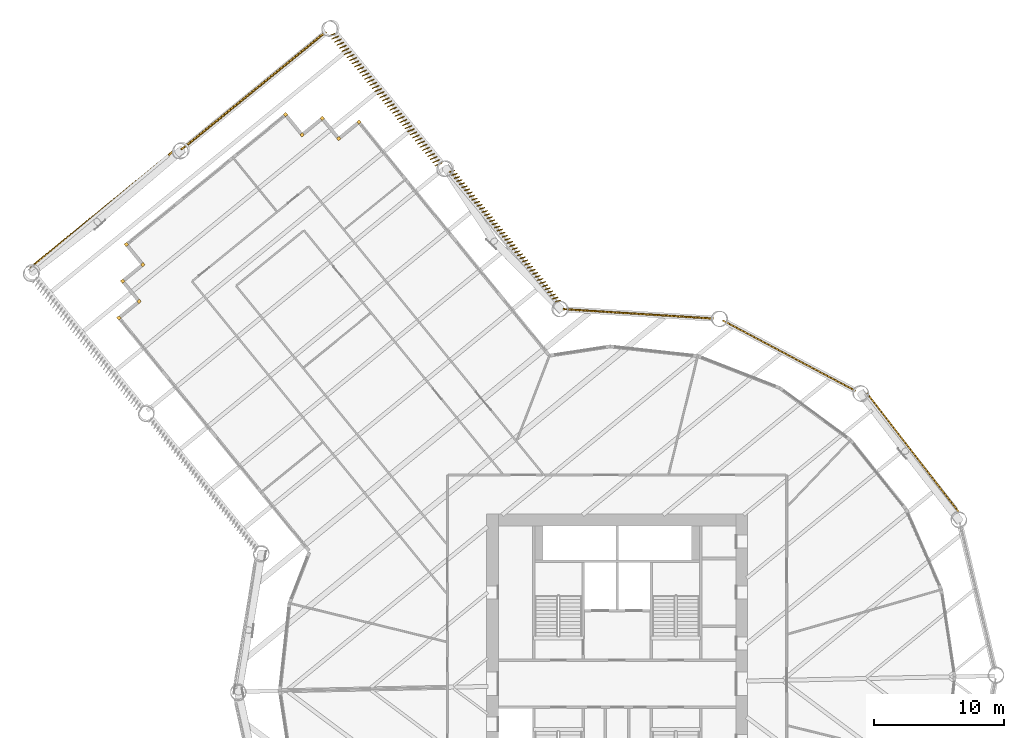
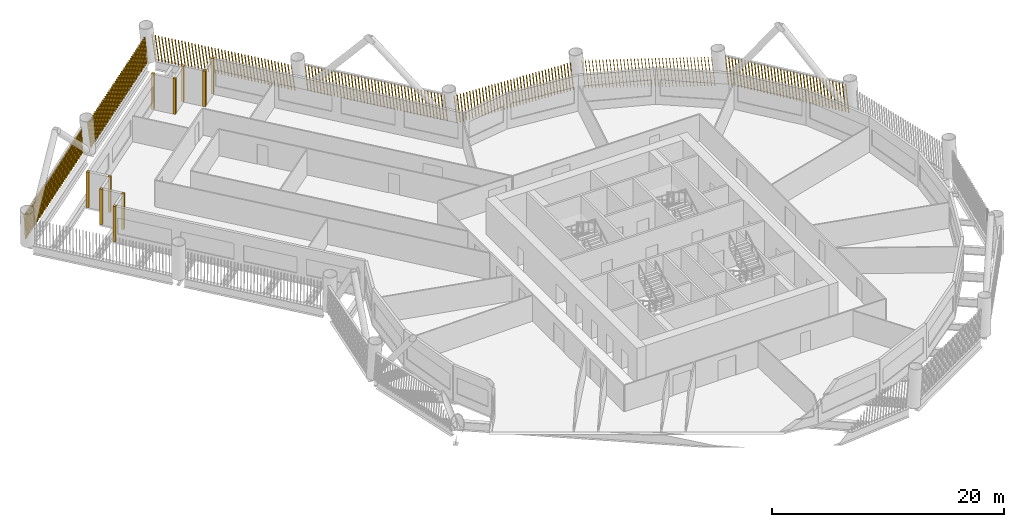
# One storey, part 21 of 22: 17 shading devices.
"""IFC4 building model written with IfcOpenShell, lengths in metres."""

from ifc_helpers import new_model, si_unit, direction, frame, frame_2d, origin, origin_2d, place, context, subcontext, project, spatial, rectangle, composite_profile, extrude, material, type_object, element, save


model = new_model("IFC4")

# Units and contexts
model_context = context("Model", 3, precision=1e-05, world=origin(), true_north=direction((0.0, 1.0)))
body_context = subcontext(model_context, "Body", "Model", "MODEL_VIEW")
ifc_project = project(units=[si_unit("LENGTHUNIT", "METRE"), si_unit("AREAUNIT", "SQUARE_METRE"), si_unit("VOLUMEUNIT", "CUBIC_METRE"), si_unit("PLANEANGLEUNIT", "RADIAN"), si_unit("MASSUNIT", "GRAM", prefix="KILO")], contexts=[model_context])

# Site, building, storey
site_placement = place(None, origin())
site = spatial("IfcSite", under=ifc_project, at=site_placement, CompositionType="ELEMENT")
building_placement = place(site_placement, origin())
building = spatial("IfcBuilding", under=site, at=building_placement, Name="Tarsis Ring Headquarters", CompositionType="ELEMENT")
storey_placement = place(building_placement, frame((0.0, 0.0, 40.0)))
storey = spatial("IfcBuildingStorey", under=building, at=storey_placement, Name="L07", CompositionType="ELEMENT", Elevation=40.0)

# Shading devices
ifc_material = material(Name="Terracotta baguette", Category="masonry")
shading_device_type_1 = type_object("IfcShadingDeviceType", Name="Terracotta baguette screen", PredefinedType="USERDEFINED", material=ifc_material)
shading_device_1_placement = place(storey_placement, frame((26.2001953125, 13.150146484375, 0.0), z_axis=(0.0, 0.0, 1.0), x_axis=(-0.611720021704, 0.791079761259, 0.0)))
element("IfcShadingDevice", 1, at=shading_device_1_placement, inside=storey, type_object=shading_device_type_1, Name="Baguette screen L07-12", ObjectType="Terracotta baguette screen", PredefinedType="USERDEFINED", context=body_context, shape_type="SweptSolid", body=[
    extrude(composite_profile([rectangle(XDim=0.06005859375, YDim=0.1201171875, at=frame_2d((0.030029296875, 0.0))), rectangle(XDim=0.06005859375, YDim=0.1201171875, at=frame_2d((0.33251953125, 0.0))), rectangle(XDim=0.06005859375, YDim=0.1201171875, at=frame_2d((0.634765625, 0.0))), rectangle(XDim=0.06005859375, YDim=0.1201171875, at=frame_2d((0.937255859375, 0.0))), rectangle(XDim=0.06005859375, YDim=0.1201171875, at=frame_2d((1.239501953125, 0.0))), rectangle(XDim=0.06005859375, YDim=0.1201171875, at=frame_2d((1.5419921875, 0.0))), rectangle(XDim=0.06005859375, YDim=0.1201171875, at=frame_2d((1.844482421875, 0.0))), rectangle(XDim=0.06005859375, YDim=0.1201171875, at=frame_2d((2.146728515625, 0.0))), rectangle(XDim=0.06005859375, YDim=0.1201171875, at=frame_2d((2.44921875, 0.0))), rectangle(XDim=0.06005859375, YDim=0.1201171875, at=frame_2d((2.751708984375, 0.0))), rectangle(XDim=0.06005859375, YDim=0.1201171875, at=frame_2d((3.053955078125, 0.0))), rectangle(XDim=0.06005859375, YDim=0.1201171875, at=frame_2d((3.3564453125, 0.0))), rectangle(XDim=0.06005859375, YDim=0.1201171875, at=frame_2d((3.65869140625, 0.0))), rectangle(XDim=0.06005859375, YDim=0.1201171875, at=frame_2d((3.961181640625, 0.0))), rectangle(XDim=0.06005859375, YDim=0.1201171875, at=frame_2d((4.263671875, 0.0))), rectangle(XDim=0.06005859375, YDim=0.1201171875, at=frame_2d((4.56591796875, 0.0))), rectangle(XDim=0.06005859375, YDim=0.1201171875, at=frame_2d((4.868408203125, 0.0))), rectangle(XDim=0.06005859375, YDim=0.1201171875, at=frame_2d((5.1708984375, 0.0))), rectangle(XDim=0.06005859375, YDim=0.1201171875, at=frame_2d((5.47314453125, 0.0))), rectangle(XDim=0.06005859375, YDim=0.1201171875, at=frame_2d((5.775634765625, 0.0))), rectangle(XDim=0.06005859375, YDim=0.1201171875, at=frame_2d((6.077880859375, 0.0))), rectangle(XDim=0.06005859375, YDim=0.1201171875, at=frame_2d((6.38037109375, 0.0))), rectangle(XDim=0.06005859375, YDim=0.1201171875, at=frame_2d((6.682861328125, 0.0))), rectangle(XDim=0.06005859375, YDim=0.1201171875, at=frame_2d((6.985107421875, 0.0))), rectangle(XDim=0.06005859375, YDim=0.1201171875, at=frame_2d((7.28759765625, 0.0))), rectangle(XDim=0.06005859375, YDim=0.1201171875, at=frame_2d((7.590087890625, 0.0))), rectangle(XDim=0.06005859375, YDim=0.1201171875, at=frame_2d((7.892333984375, 0.0))), rectangle(XDim=0.06005859375, YDim=0.1201171875, at=frame_2d((8.19482421875, 0.0))), rectangle(XDim=0.06005859375, YDim=0.1201171875, at=frame_2d((8.4970703125, 0.0))), rectangle(XDim=0.06005859375, YDim=0.1201171875, at=frame_2d((8.799560546875, 0.0))), rectangle(XDim=0.06005859375, YDim=0.1201171875, at=frame_2d((9.10205078125, 0.0))), rectangle(XDim=0.06005859375, YDim=0.1201171875, at=frame_2d((9.404296875, 0.0))), rectangle(XDim=0.06005859375, YDim=0.1201171875, at=frame_2d((9.706787109375, 0.0))), rectangle(XDim=0.06005859375, YDim=0.1201171875, at=frame_2d((10.00927734375, 0.0))), rectangle(XDim=0.06005859375, YDim=0.1201171875, at=frame_2d((10.3115234375, 0.0))), rectangle(XDim=0.06005859375, YDim=0.1201171875, at=frame_2d((10.614013671875, 0.0))), rectangle(XDim=0.06005859375, YDim=0.1201171875, at=frame_2d((10.916259765625, 0.0))), rectangle(XDim=0.06005859375, YDim=0.1201171875, at=frame_2d((11.21875, 0.0)))]), origin(), (0.101510583609, 0.00053131051, 0.994834317424), 2.968017578125),
])
shading_device_2_placement = place(storey_placement, frame((18.27490234375, 22.44921875, 0.0), z_axis=(0.0, 0.0, 1.0), x_axis=(-0.883407487792, 0.468605534455, 0.0)))
element("IfcShadingDevice", 2, at=shading_device_2_placement, inside=storey, type_object=shading_device_type_1, Name="Baguette screen L07-13", ObjectType="Terracotta baguette screen", PredefinedType="USERDEFINED", context=body_context, shape_type="SweptSolid", body=[
    extrude(composite_profile([rectangle(XDim=0.06005859375, YDim=0.1201171875, at=frame_2d((0.030029296875, 0.0))), rectangle(XDim=0.06005859375, YDim=0.1201171875, at=frame_2d((0.33251953125, 0.0))), rectangle(XDim=0.06005859375, YDim=0.1201171875, at=frame_2d((0.634765625, 0.0))), rectangle(XDim=0.06005859375, YDim=0.1201171875, at=frame_2d((0.937255859375, 0.0))), rectangle(XDim=0.06005859375, YDim=0.1201171875, at=frame_2d((1.239501953125, 0.0))), rectangle(XDim=0.06005859375, YDim=0.1201171875, at=frame_2d((1.5419921875, 0.0))), rectangle(XDim=0.06005859375, YDim=0.1201171875, at=frame_2d((1.844482421875, 0.0))), rectangle(XDim=0.06005859375, YDim=0.1201171875, at=frame_2d((2.146728515625, 0.0))), rectangle(XDim=0.06005859375, YDim=0.1201171875, at=frame_2d((2.44921875, 0.0))), rectangle(XDim=0.06005859375, YDim=0.1201171875, at=frame_2d((2.751708984375, 0.0))), rectangle(XDim=0.06005859375, YDim=0.1201171875, at=frame_2d((3.053955078125, 0.0))), rectangle(XDim=0.06005859375, YDim=0.1201171875, at=frame_2d((3.3564453125, 0.0))), rectangle(XDim=0.06005859375, YDim=0.1201171875, at=frame_2d((3.65869140625, 0.0))), rectangle(XDim=0.06005859375, YDim=0.1201171875, at=frame_2d((3.961181640625, 0.0))), rectangle(XDim=0.06005859375, YDim=0.1201171875, at=frame_2d((4.263671875, 0.0))), rectangle(XDim=0.06005859375, YDim=0.1201171875, at=frame_2d((4.56591796875, 0.0))), rectangle(XDim=0.06005859375, YDim=0.1201171875, at=frame_2d((4.868408203125, 0.0))), rectangle(XDim=0.06005859375, YDim=0.1201171875, at=frame_2d((5.1708984375, 0.0))), rectangle(XDim=0.06005859375, YDim=0.1201171875, at=frame_2d((5.47314453125, 0.0))), rectangle(XDim=0.06005859375, YDim=0.1201171875, at=frame_2d((5.775634765625, 0.0))), rectangle(XDim=0.06005859375, YDim=0.1201171875, at=frame_2d((6.077880859375, 0.0))), rectangle(XDim=0.06005859375, YDim=0.1201171875, at=frame_2d((6.38037109375, 0.0))), rectangle(XDim=0.06005859375, YDim=0.1201171875, at=frame_2d((6.682861328125, 0.0))), rectangle(XDim=0.06005859375, YDim=0.1201171875, at=frame_2d((6.985107421875, 0.0))), rectangle(XDim=0.06005859375, YDim=0.1201171875, at=frame_2d((7.28759765625, 0.0))), rectangle(XDim=0.06005859375, YDim=0.1201171875, at=frame_2d((7.590087890625, 0.0))), rectangle(XDim=0.06005859375, YDim=0.1201171875, at=frame_2d((7.892333984375, 0.0))), rectangle(XDim=0.06005859375, YDim=0.1201171875, at=frame_2d((8.19482421875, 0.0))), rectangle(XDim=0.06005859375, YDim=0.1201171875, at=frame_2d((8.4970703125, 0.0))), rectangle(XDim=0.06005859375, YDim=0.1201171875, at=frame_2d((8.799560546875, 0.0))), rectangle(XDim=0.06005859375, YDim=0.1201171875, at=frame_2d((9.10205078125, 0.0))), rectangle(XDim=0.06005859375, YDim=0.1201171875, at=frame_2d((9.404296875, 0.0))), rectangle(XDim=0.06005859375, YDim=0.1201171875, at=frame_2d((9.706787109375, 0.0))), rectangle(XDim=0.06005859375, YDim=0.1201171875, at=frame_2d((10.00927734375, 0.0))), rectangle(XDim=0.06005859375, YDim=0.1201171875, at=frame_2d((10.3115234375, 0.0))), rectangle(XDim=0.06005859375, YDim=0.1201171875, at=frame_2d((10.614013671875, 0.0))), rectangle(XDim=0.06005859375, YDim=0.1201171875, at=frame_2d((10.916259765625, 0.0))), rectangle(XDim=0.06005859375, YDim=0.1201171875, at=frame_2d((11.21875, 0.0)))]), origin(), (0.100200783938, 0.000524989482, 0.994967098594), 2.967529296875),
])
shading_device_3_placement = place(storey_placement, frame((7.39697265625, 27.986083984375, 0.0), z_axis=(0.0, 0.0, 1.0), x_axis=(-0.998024959305, 0.062832338578, 0.0)))
element("IfcShadingDevice", 3, at=shading_device_3_placement, inside=storey, type_object=shading_device_type_1, Name="Baguette screen L07-14", ObjectType="Terracotta baguette screen", PredefinedType="USERDEFINED", context=body_context, shape_type="SweptSolid", body=[
    extrude(composite_profile([rectangle(XDim=0.06005859375, YDim=0.1201171875, at=frame_2d((0.030029296875, 0.0))), rectangle(XDim=0.06005859375, YDim=0.1201171875, at=frame_2d((0.33251953125, 0.0))), rectangle(XDim=0.06005859375, YDim=0.1201171875, at=frame_2d((0.634765625, 0.0))), rectangle(XDim=0.06005859375, YDim=0.1201171875, at=frame_2d((0.937255859375, 0.0))), rectangle(XDim=0.06005859375, YDim=0.1201171875, at=frame_2d((1.239501953125, 0.0))), rectangle(XDim=0.06005859375, YDim=0.1201171875, at=frame_2d((1.5419921875, 0.0))), rectangle(XDim=0.06005859375, YDim=0.1201171875, at=frame_2d((1.844482421875, 0.0))), rectangle(XDim=0.06005859375, YDim=0.1201171875, at=frame_2d((2.146728515625, 0.0))), rectangle(XDim=0.06005859375, YDim=0.1201171875, at=frame_2d((2.44921875, 0.0))), rectangle(XDim=0.06005859375, YDim=0.1201171875, at=frame_2d((2.751708984375, 0.0))), rectangle(XDim=0.06005859375, YDim=0.1201171875, at=frame_2d((3.053955078125, 0.0))), rectangle(XDim=0.06005859375, YDim=0.1201171875, at=frame_2d((3.3564453125, 0.0))), rectangle(XDim=0.06005859375, YDim=0.1201171875, at=frame_2d((3.65869140625, 0.0))), rectangle(XDim=0.06005859375, YDim=0.1201171875, at=frame_2d((3.961181640625, 0.0))), rectangle(XDim=0.06005859375, YDim=0.1201171875, at=frame_2d((4.263671875, 0.0))), rectangle(XDim=0.06005859375, YDim=0.1201171875, at=frame_2d((4.56591796875, 0.0))), rectangle(XDim=0.06005859375, YDim=0.1201171875, at=frame_2d((4.868408203125, 0.0))), rectangle(XDim=0.06005859375, YDim=0.1201171875, at=frame_2d((5.1708984375, 0.0))), rectangle(XDim=0.06005859375, YDim=0.1201171875, at=frame_2d((5.47314453125, 0.0))), rectangle(XDim=0.06005859375, YDim=0.1201171875, at=frame_2d((5.775634765625, 0.0))), rectangle(XDim=0.06005859375, YDim=0.1201171875, at=frame_2d((6.077880859375, 0.0))), rectangle(XDim=0.06005859375, YDim=0.1201171875, at=frame_2d((6.38037109375, 0.0))), rectangle(XDim=0.06005859375, YDim=0.1201171875, at=frame_2d((6.682861328125, 0.0))), rectangle(XDim=0.06005859375, YDim=0.1201171875, at=frame_2d((6.985107421875, 0.0))), rectangle(XDim=0.06005859375, YDim=0.1201171875, at=frame_2d((7.28759765625, 0.0))), rectangle(XDim=0.06005859375, YDim=0.1201171875, at=frame_2d((7.590087890625, 0.0))), rectangle(XDim=0.06005859375, YDim=0.1201171875, at=frame_2d((7.892333984375, 0.0))), rectangle(XDim=0.06005859375, YDim=0.1201171875, at=frame_2d((8.19482421875, 0.0))), rectangle(XDim=0.06005859375, YDim=0.1201171875, at=frame_2d((8.4970703125, 0.0))), rectangle(XDim=0.06005859375, YDim=0.1201171875, at=frame_2d((8.799560546875, 0.0))), rectangle(XDim=0.06005859375, YDim=0.1201171875, at=frame_2d((9.10205078125, 0.0))), rectangle(XDim=0.06005859375, YDim=0.1201171875, at=frame_2d((9.404296875, 0.0))), rectangle(XDim=0.06005859375, YDim=0.1201171875, at=frame_2d((9.706787109375, 0.0))), rectangle(XDim=0.06005859375, YDim=0.1201171875, at=frame_2d((10.00927734375, 0.0))), rectangle(XDim=0.06005859375, YDim=0.1201171875, at=frame_2d((10.3115234375, 0.0))), rectangle(XDim=0.06005859375, YDim=0.1201171875, at=frame_2d((10.614013671875, 0.0))), rectangle(XDim=0.06005859375, YDim=0.1201171875, at=frame_2d((10.916259765625, 0.0))), rectangle(XDim=0.06005859375, YDim=0.1201171875, at=frame_2d((11.21875, 0.0)))]), origin(), (0.100200637715, 0.000526496756, 0.994967112523), 2.967529296875),
])
shading_device_4_placement = place(storey_placement, frame((-4.354248046875, 29.3486328125, 0.0), z_axis=(0.0, 0.0, 1.0), x_axis=(-0.632032092645, 0.774954112816, 0.0)))
element("IfcShadingDevice", 4, at=shading_device_4_placement, inside=storey, type_object=shading_device_type_1, Name="Baguette screen L07-15", ObjectType="Terracotta baguette screen", PredefinedType="USERDEFINED", context=body_context, shape_type="SweptSolid", body=[
    extrude(composite_profile([rectangle(XDim=0.06005859375, YDim=0.1201171875, at=frame_2d((0.030029296875, 0.0))), rectangle(XDim=0.06005859375, YDim=0.1201171875, at=frame_2d((0.335693359375, 0.0))), rectangle(XDim=0.06005859375, YDim=0.1201171875, at=frame_2d((0.6416015625, 0.0))), rectangle(XDim=0.06005859375, YDim=0.1201171875, at=frame_2d((0.947265625, 0.0))), rectangle(XDim=0.06005859375, YDim=0.1201171875, at=frame_2d((1.253173828125, 0.0))), rectangle(XDim=0.06005859375, YDim=0.1201171875, at=frame_2d((1.558837890625, 0.0))), rectangle(XDim=0.06005859375, YDim=0.1201171875, at=frame_2d((1.864501953125, 0.0))), rectangle(XDim=0.06005859375, YDim=0.1201171875, at=frame_2d((2.17041015625, 0.0))), rectangle(XDim=0.06005859375, YDim=0.1201171875, at=frame_2d((2.47607421875, 0.0))), rectangle(XDim=0.06005859375, YDim=0.1201171875, at=frame_2d((2.781982421875, 0.0))), rectangle(XDim=0.06005859375, YDim=0.1201171875, at=frame_2d((3.087646484375, 0.0))), rectangle(XDim=0.06005859375, YDim=0.1201171875, at=frame_2d((3.393310546875, 0.0))), rectangle(XDim=0.06005859375, YDim=0.1201171875, at=frame_2d((3.69921875, 0.0))), rectangle(XDim=0.06005859375, YDim=0.1201171875, at=frame_2d((4.0048828125, 0.0))), rectangle(XDim=0.06005859375, YDim=0.1201171875, at=frame_2d((4.310791015625, 0.0))), rectangle(XDim=0.06005859375, YDim=0.1201171875, at=frame_2d((4.616455078125, 0.0))), rectangle(XDim=0.06005859375, YDim=0.1201171875, at=frame_2d((4.922119140625, 0.0))), rectangle(XDim=0.06005859375, YDim=0.1201171875, at=frame_2d((5.22802734375, 0.0))), rectangle(XDim=0.06005859375, YDim=0.1201171875, at=frame_2d((5.53369140625, 0.0))), rectangle(XDim=0.06005859375, YDim=0.1201171875, at=frame_2d((5.839599609375, 0.0))), rectangle(XDim=0.06005859375, YDim=0.1201171875, at=frame_2d((6.145263671875, 0.0))), rectangle(XDim=0.06005859375, YDim=0.1201171875, at=frame_2d((6.451171875, 0.0))), rectangle(XDim=0.06005859375, YDim=0.1201171875, at=frame_2d((6.7568359375, 0.0))), rectangle(XDim=0.06005859375, YDim=0.1201171875, at=frame_2d((7.0625, 0.0))), rectangle(XDim=0.06005859375, YDim=0.1201171875, at=frame_2d((7.368408203125, 0.0))), rectangle(XDim=0.06005859375, YDim=0.1201171875, at=frame_2d((7.674072265625, 0.0))), rectangle(XDim=0.06005859375, YDim=0.1201171875, at=frame_2d((7.97998046875, 0.0))), rectangle(XDim=0.06005859375, YDim=0.1201171875, at=frame_2d((8.28564453125, 0.0))), rectangle(XDim=0.06005859375, YDim=0.1201171875, at=frame_2d((8.59130859375, 0.0))), rectangle(XDim=0.06005859375, YDim=0.1201171875, at=frame_2d((8.897216796875, 0.0))), rectangle(XDim=0.06005859375, YDim=0.1201171875, at=frame_2d((9.202880859375, 0.0))), rectangle(XDim=0.06005859375, YDim=0.1201171875, at=frame_2d((9.5087890625, 0.0))), rectangle(XDim=0.06005859375, YDim=0.1201171875, at=frame_2d((9.814453125, 0.0))), rectangle(XDim=0.06005859375, YDim=0.1201171875, at=frame_2d((10.1201171875, 0.0))), rectangle(XDim=0.06005859375, YDim=0.1201171875, at=frame_2d((10.426025390625, 0.0))), rectangle(XDim=0.06005859375, YDim=0.1201171875, at=frame_2d((10.731689453125, 0.0))), rectangle(XDim=0.06005859375, YDim=0.1201171875, at=frame_2d((11.03759765625, 0.0))), rectangle(XDim=0.06005859375, YDim=0.1201171875, at=frame_2d((11.34326171875, 0.0))), rectangle(XDim=0.06005859375, YDim=0.1201171875, at=frame_2d((11.64892578125, 0.0))), rectangle(XDim=0.06005859375, YDim=0.1201171875, at=frame_2d((11.954833984375, 0.0))), rectangle(XDim=0.06005859375, YDim=0.1201171875, at=frame_2d((12.260498046875, 0.0))), rectangle(XDim=0.06005859375, YDim=0.1201171875, at=frame_2d((12.56640625, 0.0))), rectangle(XDim=0.06005859375, YDim=0.1201171875, at=frame_2d((12.8720703125, 0.0)))]), origin(), (0.052812362672, 0.112701153577, 0.992224422362), 2.975830078125),
])
shading_device_5_placement = place(storey_placement, frame((-13.431396484375, 39.885009765625, 0.0), z_axis=(0.0, 0.0, 1.0), x_axis=(-0.632032092645, 0.774954112816, 0.0)))
element("IfcShadingDevice", 5, at=shading_device_5_placement, inside=storey, type_object=shading_device_type_1, Name="Baguette screen L07-16", ObjectType="Terracotta baguette screen", PredefinedType="USERDEFINED", context=body_context, shape_type="SweptSolid", body=[
    extrude(composite_profile([rectangle(XDim=0.06005859375, YDim=0.1201171875, at=frame_2d((0.030029296875, 0.0))), rectangle(XDim=0.06005859375, YDim=0.1201171875, at=frame_2d((0.335693359375, 0.0))), rectangle(XDim=0.06005859375, YDim=0.1201171875, at=frame_2d((0.6416015625, 0.0))), rectangle(XDim=0.06005859375, YDim=0.1201171875, at=frame_2d((0.947265625, 0.0))), rectangle(XDim=0.06005859375, YDim=0.1201171875, at=frame_2d((1.253173828125, 0.0))), rectangle(XDim=0.06005859375, YDim=0.1201171875, at=frame_2d((1.558837890625, 0.0))), rectangle(XDim=0.06005859375, YDim=0.1201171875, at=frame_2d((1.864501953125, 0.0))), rectangle(XDim=0.06005859375, YDim=0.1201171875, at=frame_2d((2.17041015625, 0.0))), rectangle(XDim=0.06005859375, YDim=0.1201171875, at=frame_2d((2.47607421875, 0.0))), rectangle(XDim=0.06005859375, YDim=0.1201171875, at=frame_2d((2.781982421875, 0.0))), rectangle(XDim=0.06005859375, YDim=0.1201171875, at=frame_2d((3.087646484375, 0.0))), rectangle(XDim=0.06005859375, YDim=0.1201171875, at=frame_2d((3.393310546875, 0.0))), rectangle(XDim=0.06005859375, YDim=0.1201171875, at=frame_2d((3.69921875, 0.0))), rectangle(XDim=0.06005859375, YDim=0.1201171875, at=frame_2d((4.0048828125, 0.0))), rectangle(XDim=0.06005859375, YDim=0.1201171875, at=frame_2d((4.310791015625, 0.0))), rectangle(XDim=0.06005859375, YDim=0.1201171875, at=frame_2d((4.616455078125, 0.0))), rectangle(XDim=0.06005859375, YDim=0.1201171875, at=frame_2d((4.922119140625, 0.0))), rectangle(XDim=0.06005859375, YDim=0.1201171875, at=frame_2d((5.22802734375, 0.0))), rectangle(XDim=0.06005859375, YDim=0.1201171875, at=frame_2d((5.53369140625, 0.0))), rectangle(XDim=0.06005859375, YDim=0.1201171875, at=frame_2d((5.839599609375, 0.0))), rectangle(XDim=0.06005859375, YDim=0.1201171875, at=frame_2d((6.145263671875, 0.0))), rectangle(XDim=0.06005859375, YDim=0.1201171875, at=frame_2d((6.451171875, 0.0))), rectangle(XDim=0.06005859375, YDim=0.1201171875, at=frame_2d((6.7568359375, 0.0))), rectangle(XDim=0.06005859375, YDim=0.1201171875, at=frame_2d((7.0625, 0.0))), rectangle(XDim=0.06005859375, YDim=0.1201171875, at=frame_2d((7.368408203125, 0.0))), rectangle(XDim=0.06005859375, YDim=0.1201171875, at=frame_2d((7.674072265625, 0.0))), rectangle(XDim=0.06005859375, YDim=0.1201171875, at=frame_2d((7.97998046875, 0.0))), rectangle(XDim=0.06005859375, YDim=0.1201171875, at=frame_2d((8.28564453125, 0.0))), rectangle(XDim=0.06005859375, YDim=0.1201171875, at=frame_2d((8.59130859375, 0.0))), rectangle(XDim=0.06005859375, YDim=0.1201171875, at=frame_2d((8.897216796875, 0.0))), rectangle(XDim=0.06005859375, YDim=0.1201171875, at=frame_2d((9.202880859375, 0.0))), rectangle(XDim=0.06005859375, YDim=0.1201171875, at=frame_2d((9.5087890625, 0.0))), rectangle(XDim=0.06005859375, YDim=0.1201171875, at=frame_2d((9.814453125, 0.0))), rectangle(XDim=0.06005859375, YDim=0.1201171875, at=frame_2d((10.1201171875, 0.0))), rectangle(XDim=0.06005859375, YDim=0.1201171875, at=frame_2d((10.426025390625, 0.0))), rectangle(XDim=0.06005859375, YDim=0.1201171875, at=frame_2d((10.731689453125, 0.0))), rectangle(XDim=0.06005859375, YDim=0.1201171875, at=frame_2d((11.03759765625, 0.0))), rectangle(XDim=0.06005859375, YDim=0.1201171875, at=frame_2d((11.34326171875, 0.0))), rectangle(XDim=0.06005859375, YDim=0.1201171875, at=frame_2d((11.64892578125, 0.0))), rectangle(XDim=0.06005859375, YDim=0.1201171875, at=frame_2d((11.954833984375, 0.0))), rectangle(XDim=0.06005859375, YDim=0.1201171875, at=frame_2d((12.260498046875, 0.0))), rectangle(XDim=0.06005859375, YDim=0.1201171875, at=frame_2d((12.56640625, 0.0))), rectangle(XDim=0.06005859375, YDim=0.1201171875, at=frame_2d((12.8720703125, 0.0)))]), origin(), (0.05090032971, 0.160556238713, 0.985713371445), 2.995361328125),
])
shading_device_6_placement = place(storey_placement, frame((-22.28955078125, 49.955078125, 0.0), z_axis=(0.0, 0.0, 1.0), x_axis=(-0.77494515604, -0.632032411011, 0.0)))
element("IfcShadingDevice", 6, at=shading_device_6_placement, inside=storey, type_object=shading_device_type_1, Name="Baguette screen L07-17", ObjectType="Terracotta baguette screen", PredefinedType="USERDEFINED", context=body_context, shape_type="SweptSolid", body=[
    extrude(composite_profile([rectangle(XDim=0.06005859375, YDim=0.1201171875, at=frame_2d((0.030029296875, 0.0))), rectangle(XDim=0.06005859375, YDim=0.1201171875, at=frame_2d((0.33544921875, 0.0))), rectangle(XDim=0.06005859375, YDim=0.1201171875, at=frame_2d((0.640625, 0.0))), rectangle(XDim=0.06005859375, YDim=0.1201171875, at=frame_2d((0.946044921875, 0.0))), rectangle(XDim=0.06005859375, YDim=0.1201171875, at=frame_2d((1.25146484375, 0.0))), rectangle(XDim=0.06005859375, YDim=0.1201171875, at=frame_2d((1.556640625, 0.0))), rectangle(XDim=0.06005859375, YDim=0.1201171875, at=frame_2d((1.862060546875, 0.0))), rectangle(XDim=0.06005859375, YDim=0.1201171875, at=frame_2d((2.16748046875, 0.0))), rectangle(XDim=0.06005859375, YDim=0.1201171875, at=frame_2d((2.47265625, 0.0))), rectangle(XDim=0.06005859375, YDim=0.1201171875, at=frame_2d((2.778076171875, 0.0))), rectangle(XDim=0.06005859375, YDim=0.1201171875, at=frame_2d((3.08349609375, 0.0))), rectangle(XDim=0.06005859375, YDim=0.1201171875, at=frame_2d((3.388671875, 0.0))), rectangle(XDim=0.06005859375, YDim=0.1201171875, at=frame_2d((3.694091796875, 0.0))), rectangle(XDim=0.06005859375, YDim=0.1201171875, at=frame_2d((3.99951171875, 0.0))), rectangle(XDim=0.06005859375, YDim=0.1201171875, at=frame_2d((4.3046875, 0.0))), rectangle(XDim=0.06005859375, YDim=0.1201171875, at=frame_2d((4.610107421875, 0.0))), rectangle(XDim=0.06005859375, YDim=0.1201171875, at=frame_2d((4.91552734375, 0.0))), rectangle(XDim=0.06005859375, YDim=0.1201171875, at=frame_2d((5.220703125, 0.0))), rectangle(XDim=0.06005859375, YDim=0.1201171875, at=frame_2d((5.526123046875, 0.0))), rectangle(XDim=0.06005859375, YDim=0.1201171875, at=frame_2d((5.83154296875, 0.0))), rectangle(XDim=0.06005859375, YDim=0.1201171875, at=frame_2d((6.13671875, 0.0))), rectangle(XDim=0.06005859375, YDim=0.1201171875, at=frame_2d((6.442138671875, 0.0))), rectangle(XDim=0.06005859375, YDim=0.1201171875, at=frame_2d((6.74755859375, 0.0))), rectangle(XDim=0.06005859375, YDim=0.1201171875, at=frame_2d((7.052734375, 0.0))), rectangle(XDim=0.06005859375, YDim=0.1201171875, at=frame_2d((7.358154296875, 0.0))), rectangle(XDim=0.06005859375, YDim=0.1201171875, at=frame_2d((7.66357421875, 0.0))), rectangle(XDim=0.06005859375, YDim=0.1201171875, at=frame_2d((7.96875, 0.0))), rectangle(XDim=0.06005859375, YDim=0.1201171875, at=frame_2d((8.274169921875, 0.0))), rectangle(XDim=0.06005859375, YDim=0.1201171875, at=frame_2d((8.57958984375, 0.0))), rectangle(XDim=0.06005859375, YDim=0.1201171875, at=frame_2d((8.884765625, 0.0))), rectangle(XDim=0.06005859375, YDim=0.1201171875, at=frame_2d((9.190185546875, 0.0))), rectangle(XDim=0.06005859375, YDim=0.1201171875, at=frame_2d((9.49560546875, 0.0))), rectangle(XDim=0.06005859375, YDim=0.1201171875, at=frame_2d((9.80078125, 0.0))), rectangle(XDim=0.06005859375, YDim=0.1201171875, at=frame_2d((10.106201171875, 0.0))), rectangle(XDim=0.06005859375, YDim=0.1201171875, at=frame_2d((10.41162109375, 0.0))), rectangle(XDim=0.06005859375, YDim=0.1201171875, at=frame_2d((10.716796875, 0.0))), rectangle(XDim=0.06005859375, YDim=0.1201171875, at=frame_2d((11.022216796875, 0.0))), rectangle(XDim=0.06005859375, YDim=0.1201171875, at=frame_2d((11.32763671875, 0.0))), rectangle(XDim=0.06005859375, YDim=0.1201171875, at=frame_2d((11.6328125, 0.0))), rectangle(XDim=0.06005859375, YDim=0.1201171875, at=frame_2d((11.938232421875, 0.0))), rectangle(XDim=0.06005859375, YDim=0.1201171875, at=frame_2d((12.24365234375, 0.0))), rectangle(XDim=0.06005859375, YDim=0.1201171875, at=frame_2d((12.548828125, 0.0))), rectangle(XDim=0.06005859375, YDim=0.1201171875, at=frame_2d((12.854248046875, 0.0))), rectangle(XDim=0.06005859375, YDim=0.1201171875, at=frame_2d((13.15966796875, 0.0))), rectangle(XDim=0.06005859375, YDim=0.1201171875, at=frame_2d((13.46484375, 0.0))), rectangle(XDim=0.06005859375, YDim=0.1201171875, at=frame_2d((13.770263671875, 0.0)))]), origin(), (0.18413455674, -0.024824747096, 0.982587500911), 3.0048828125),
])
shading_device_7_placement = place(storey_placement, frame((-33.99560546875, 40.8916015625, 0.0), z_axis=(0.0, 0.0, 1.0), x_axis=(-0.77494913755, -0.632021229544, 0.0)))
element("IfcShadingDevice", 7, at=shading_device_7_placement, inside=storey, type_object=shading_device_type_1, Name="Baguette screen L07-18", ObjectType="Terracotta baguette screen", PredefinedType="USERDEFINED", context=body_context, shape_type="SweptSolid", body=[
    extrude(composite_profile([rectangle(XDim=0.06005859375, YDim=0.1201171875, at=frame_2d((0.030029296875, 0.0))), rectangle(XDim=0.06005859375, YDim=0.1201171875, at=frame_2d((0.33544921875, 0.0))), rectangle(XDim=0.06005859375, YDim=0.1201171875, at=frame_2d((0.640625, 0.0))), rectangle(XDim=0.06005859375, YDim=0.1201171875, at=frame_2d((0.946044921875, 0.0))), rectangle(XDim=0.06005859375, YDim=0.1201171875, at=frame_2d((1.25146484375, 0.0))), rectangle(XDim=0.06005859375, YDim=0.1201171875, at=frame_2d((1.556640625, 0.0))), rectangle(XDim=0.06005859375, YDim=0.1201171875, at=frame_2d((1.862060546875, 0.0))), rectangle(XDim=0.06005859375, YDim=0.1201171875, at=frame_2d((2.16748046875, 0.0))), rectangle(XDim=0.06005859375, YDim=0.1201171875, at=frame_2d((2.47265625, 0.0))), rectangle(XDim=0.06005859375, YDim=0.1201171875, at=frame_2d((2.778076171875, 0.0))), rectangle(XDim=0.06005859375, YDim=0.1201171875, at=frame_2d((3.08349609375, 0.0))), rectangle(XDim=0.06005859375, YDim=0.1201171875, at=frame_2d((3.388671875, 0.0))), rectangle(XDim=0.06005859375, YDim=0.1201171875, at=frame_2d((3.694091796875, 0.0))), rectangle(XDim=0.06005859375, YDim=0.1201171875, at=frame_2d((3.99951171875, 0.0))), rectangle(XDim=0.06005859375, YDim=0.1201171875, at=frame_2d((4.3046875, 0.0))), rectangle(XDim=0.06005859375, YDim=0.1201171875, at=frame_2d((4.610107421875, 0.0))), rectangle(XDim=0.06005859375, YDim=0.1201171875, at=frame_2d((4.91552734375, 0.0))), rectangle(XDim=0.06005859375, YDim=0.1201171875, at=frame_2d((5.220703125, 0.0))), rectangle(XDim=0.06005859375, YDim=0.1201171875, at=frame_2d((5.526123046875, 0.0))), rectangle(XDim=0.06005859375, YDim=0.1201171875, at=frame_2d((5.83154296875, 0.0))), rectangle(XDim=0.06005859375, YDim=0.1201171875, at=frame_2d((6.13671875, 0.0))), rectangle(XDim=0.06005859375, YDim=0.1201171875, at=frame_2d((6.442138671875, 0.0))), rectangle(XDim=0.06005859375, YDim=0.1201171875, at=frame_2d((6.74755859375, 0.0))), rectangle(XDim=0.06005859375, YDim=0.1201171875, at=frame_2d((7.052734375, 0.0))), rectangle(XDim=0.06005859375, YDim=0.1201171875, at=frame_2d((7.358154296875, 0.0))), rectangle(XDim=0.06005859375, YDim=0.1201171875, at=frame_2d((7.66357421875, 0.0))), rectangle(XDim=0.06005859375, YDim=0.1201171875, at=frame_2d((7.96875, 0.0))), rectangle(XDim=0.06005859375, YDim=0.1201171875, at=frame_2d((8.274169921875, 0.0))), rectangle(XDim=0.06005859375, YDim=0.1201171875, at=frame_2d((8.57958984375, 0.0))), rectangle(XDim=0.06005859375, YDim=0.1201171875, at=frame_2d((8.884765625, 0.0))), rectangle(XDim=0.06005859375, YDim=0.1201171875, at=frame_2d((9.190185546875, 0.0))), rectangle(XDim=0.06005859375, YDim=0.1201171875, at=frame_2d((9.49560546875, 0.0))), rectangle(XDim=0.06005859375, YDim=0.1201171875, at=frame_2d((9.80078125, 0.0))), rectangle(XDim=0.06005859375, YDim=0.1201171875, at=frame_2d((10.106201171875, 0.0))), rectangle(XDim=0.06005859375, YDim=0.1201171875, at=frame_2d((10.41162109375, 0.0))), rectangle(XDim=0.06005859375, YDim=0.1201171875, at=frame_2d((10.716796875, 0.0))), rectangle(XDim=0.06005859375, YDim=0.1201171875, at=frame_2d((11.022216796875, 0.0))), rectangle(XDim=0.06005859375, YDim=0.1201171875, at=frame_2d((11.32763671875, 0.0))), rectangle(XDim=0.06005859375, YDim=0.1201171875, at=frame_2d((11.6328125, 0.0))), rectangle(XDim=0.06005859375, YDim=0.1201171875, at=frame_2d((11.938232421875, 0.0))), rectangle(XDim=0.06005859375, YDim=0.1201171875, at=frame_2d((12.24365234375, 0.0))), rectangle(XDim=0.06005859375, YDim=0.1201171875, at=frame_2d((12.548828125, 0.0))), rectangle(XDim=0.06005859375, YDim=0.1201171875, at=frame_2d((12.854248046875, 0.0))), rectangle(XDim=0.06005859375, YDim=0.1201171875, at=frame_2d((13.15966796875, 0.0))), rectangle(XDim=0.06005859375, YDim=0.1201171875, at=frame_2d((13.46484375, 0.0))), rectangle(XDim=0.06005859375, YDim=0.1201171875, at=frame_2d((13.770263671875, 0.0)))]), origin(), (0.185125629286, 0.026753036726, 0.982350638218), 3.005615234375),
])
shading_device_type_2 = type_object("IfcShadingDeviceType", Name="Terracotta corner baguette 250x250", PredefinedType="USERDEFINED", material=ifc_material)
for number, where, z_axis, x_axis, name in (
    (8, (-38.19677734375, 28.045166015625, 0.0), (0.0, 0.0, 1.0), (-0.774944599014, -0.632029167412, 0.0), "Corner baguette L07-01"),
    (9, (-19.7919921875, 43.055908203125, 0.0), (0.0, 0.0, 1.0), (-0.63202931619, 0.774944477673, 0.0), "Corner baguette L07-32"),
    (10, (-21.341796875, 41.791748046875, 0.0), (0.0, 0.0, 1.0), (-0.774944400456, -0.632029410868, 0.0), "Corner baguette L07-33"),
    (11, (-22.605712890625, 43.341796875, 0.0), (0.0, 0.0, 1.0), (-0.632028869854, 0.774944841696, 0.0), "Corner baguette L07-34"),
    (12, (-24.15576171875, 42.07763671875, 0.0), (0.0, 0.0, 1.0), (-0.774944599014, -0.632029167412, 0.0), "Corner baguette L07-35"),
    (13, (-25.419677734375, 43.627685546875, 0.0), (0.0, 0.0, 1.0), (-0.632029356766, 0.77494444458, 0.0), "Corner baguette L07-36"),
    (14, (-37.625244140625, 33.673095703125, 0.0), (0.0, 0.0, 1.0), (-0.774944521797, -0.632029262089, 0.0), "Corner baguette L07-37"),
    (15, (-36.361083984375, 32.123291015625, 0.0), (0.0, 0.0, 1.0), (0.63202911331, -0.774944643138, 0.0), "Corner baguette L07-38"),
    (16, (-37.910888671875, 30.859130859375, 0.0), (0.0, 0.0, 1.0), (-0.774944201898, -0.632029654323, 0.0), "Corner baguette L07-39"),
    (17, (-36.64697265625, 29.309326171875, 0.0), (0.0, 0.0, 1.0), (0.632029654323, -0.774944201898, 0.0), "Corner baguette L07-40"),
):
    element("IfcShadingDevice", number, at=place(storey_placement, frame(where, z_axis=z_axis, x_axis=x_axis)), inside=storey, type_object=shading_device_type_2, Name=name, ObjectType="Terracotta corner baguette", PredefinedType="USERDEFINED", context=body_context, shape_type="SweptSolid", body=[
        extrude(rectangle(XDim=0.25, YDim=0.25, at=origin_2d()), origin(), (0.0, 0.0, 1.0), 3.739990234375),
    ])

save(model, "model.ifc")
